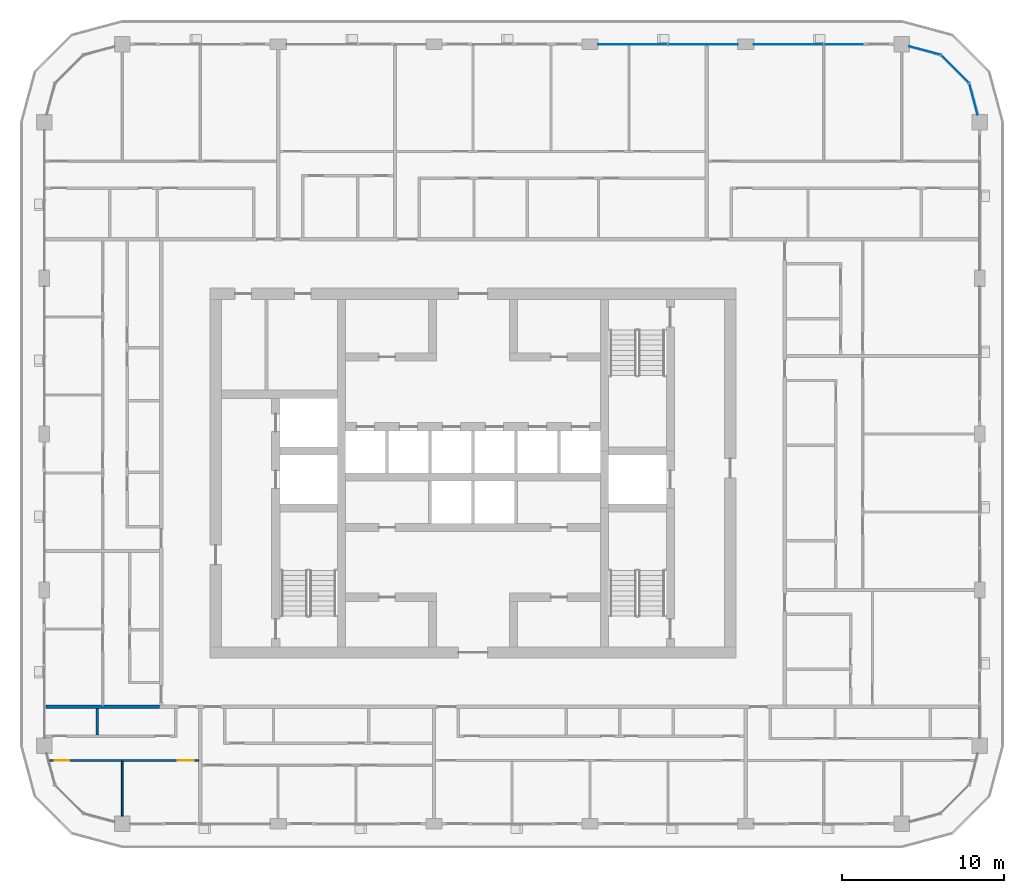
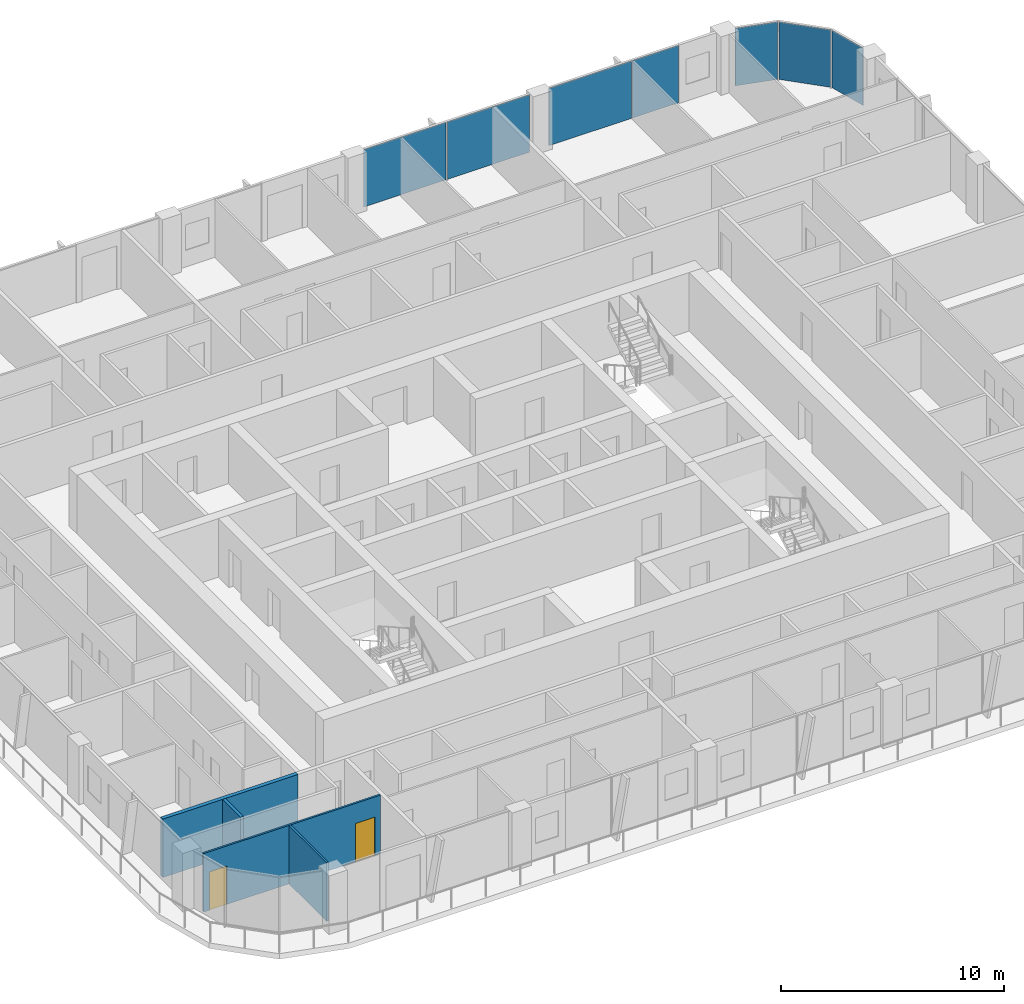
# One storey, part 8 of 23: 7 plates, 4 walls, 2 doors, 2 openings, 3 elements without a shape of their own.
"""IFC4 building model written with IfcOpenShell, lengths in metres."""

from ifc_helpers import new_model, si_unit, direction, frame, frame_2d, origin, origin_2d, place, context, subcontext, project, spatial, rectangle, extrude, material, layer, layer_set, type_object, element, fill, aggregate, save


model = new_model("IFC4")

# Units and contexts
model_context = context("Model", 3, precision=1e-05, world=origin(), true_north=direction((0.0, 1.0)))
body_context = subcontext(model_context, "Body", "Model", "MODEL_VIEW")
ifc_project = project(units=[si_unit("LENGTHUNIT", "METRE"), si_unit("AREAUNIT", "SQUARE_METRE"), si_unit("VOLUMEUNIT", "CUBIC_METRE"), si_unit("PLANEANGLEUNIT", "RADIAN"), si_unit("MASSUNIT", "GRAM", prefix="KILO")], contexts=[model_context])

# Site, building, storey
site_placement = place(None, origin())
site = spatial("IfcSite", under=ifc_project, at=site_placement, CompositionType="ELEMENT")
building_placement = place(site_placement, origin())
building = spatial("IfcBuilding", under=site, at=building_placement, Name="Madar Terraces", CompositionType="ELEMENT")
storey_placement = place(building_placement, frame((0.0, 0.0, 219.300048828125)))
storey = spatial("IfcBuildingStorey", under=building, at=storey_placement, Name="L57", CompositionType="ELEMENT", Elevation=219.300048828125)

# Curtain wall, plates
ifc_material_1 = material(Name="Glass, ceramic frit dark grey, with black aluminium frame", Category="aluminium")
ifc_layer_1 = layer(ifc_material_1, 0.199951171875)
ifc_layer_set_1 = layer_set([ifc_layer_1], Name="Facade curtain wall, fritted glass")
curtain_wall_type = type_object("IfcCurtainWallType", Name="Facade curtain wall, fritted glass", PredefinedType="NOTDEFINED", material=ifc_layer_set_1)
curtain_wall_1_placement = place(storey_placement, origin())
curtain_wall_1 = element("IfcCurtainWall", 1, at=curtain_wall_1_placement, inside=storey, type_object=curtain_wall_type, Name="Outer skin curtain wall north bay 1", PredefinedType="NOTDEFINED")
ifc_material_2 = material(Name="Glass, ceramic frit dark grey", Category="glass")
ifc_layer_2 = layer(ifc_material_2, 0.028076171875)
ifc_layer_set_2 = layer_set([ifc_layer_2], Name="Facade glass panel 28")
plate_type = type_object("IfcPlateType", Name="Facade glass panel 28", PredefinedType="CURTAIN_PANEL", material=ifc_layer_set_2)
plate_1_placement = place(storey_placement, frame((54.014892578125, 52.800048828125, 0.0), z_axis=(0.0, 0.0, 1.0), x_axis=(-1.0, 0.0, 0.0)))
plate_1 = element("IfcPlate", 2, at=plate_1_placement, type_object=plate_type, Name="Panel 1", PredefinedType="CURTAIN_PANEL", context=body_context, shape_type="SweptSolid", body=[
    extrude(rectangle(XDim=2.3701171875, YDim=0.028076171875, at=origin_2d()), origin(), (0.0, 0.0, 1.0), 3.139892578125),
])
plate_2_placement = place(storey_placement, frame((50.635009765625, 52.800048828125, 0.0), z_axis=(0.0, 0.0, 1.0), x_axis=(-1.0, 0.0, 0.0)))
plate_2 = element("IfcPlate", 3, at=plate_2_placement, type_object=plate_type, Name="Panel 2", PredefinedType="CURTAIN_PANEL", context=body_context, shape_type="SweptSolid", body=[
    extrude(rectangle(XDim=4.27001953125, YDim=0.028076171875, at=origin_2d()), origin(), (0.0, 0.0, 1.0), 3.139892578125),
])
aggregate(curtain_wall_1, [plate_1, plate_2])

curtain_wall_2_placement = place(storey_placement, origin())
curtain_wall_2 = element("IfcCurtainWall", 4, at=curtain_wall_2_placement, inside=storey, type_object=curtain_wall_type, Name="Outer skin curtain wall north bay 2", PredefinedType="NOTDEFINED")
plate_3_placement = place(storey_placement, frame((45.364990234375, 52.800048828125, 0.0), z_axis=(0.0, 0.0, 1.0), x_axis=(-1.0, 0.0, 0.0)))
plate_3 = element("IfcPlate", 5, at=plate_3_placement, type_object=plate_type, Name="Panel 1", PredefinedType="CURTAIN_PANEL", context=body_context, shape_type="SweptSolid", body=[
    extrude(rectangle(XDim=4.27001953125, YDim=0.028076171875, at=origin_2d()), origin(), (0.0, 0.0, 1.0), 3.139892578125),
])
plate_4_placement = place(storey_placement, frame((41.034912109375, 52.800048828125, 0.0), z_axis=(0.0, 0.0, 1.0), x_axis=(-1.0, 0.0, 0.0)))
plate_4 = element("IfcPlate", 6, at=plate_4_placement, type_object=plate_type, Name="Panel 2", PredefinedType="CURTAIN_PANEL", context=body_context, shape_type="SweptSolid", body=[
    extrude(rectangle(XDim=4.27001953125, YDim=0.028076171875, at=origin_2d()), origin(), (0.0, 0.0, 1.0), 3.139892578125),
])
aggregate(curtain_wall_2, [plate_3, plate_4])

curtain_wall_3_placement = place(storey_placement, origin())
curtain_wall_3 = element("IfcCurtainWall", 7, at=curtain_wall_3_placement, inside=storey, type_object=curtain_wall_type, Name="Outer skin curtain wall north-east corner", PredefinedType="NOTDEFINED")
plate_5_placement = place(storey_placement, frame((62.018798828125, 49.423095703125, 0.0), z_axis=(0.0, 0.0, 1.0), x_axis=(-0.258819021888, 0.965925832509, 0.0)))
plate_5 = element("IfcPlate", 8, at=plate_5_placement, type_object=plate_type, Name="Panel 1", PredefinedType="CURTAIN_PANEL", context=body_context, shape_type="SweptSolid", body=[
    extrude(rectangle(XDim=1.962890625, YDim=0.028076171875, at=origin_2d()), origin(), (0.0, 0.0, 1.0), 3.139892578125),
])
plate_6_placement = place(storey_placement, frame((60.87841796875, 51.278564453125, 0.0), z_axis=(0.0, 0.0, 1.0), x_axis=(-0.707106781187, 0.707106781187, 0.0)))
plate_6 = element("IfcPlate", 9, at=plate_6_placement, type_object=plate_type, Name="Panel 2", PredefinedType="CURTAIN_PANEL", context=body_context, shape_type="SweptSolid", body=[
    extrude(rectangle(XDim=2.424560546875, YDim=0.028076171875, at=origin_2d()), origin(), (0.0, 0.0, 1.0), 3.139892578125),
])
plate_7_placement = place(storey_placement, frame((59.02294921875, 52.418701171875, 0.0), z_axis=(0.0, 0.0, 1.0), x_axis=(-0.965925832509, 0.258819021888, 0.0)))
plate_7 = element("IfcPlate", 10, at=plate_7_placement, type_object=plate_type, Name="Panel 3", PredefinedType="CURTAIN_PANEL", context=body_context, shape_type="SweptSolid", body=[
    extrude(rectangle(XDim=1.962890625, YDim=0.028076171875, at=origin_2d()), origin(), (0.0, 0.0, 1.0), 3.139892578125),
])
aggregate(curtain_wall_3, [plate_5, plate_6, plate_7])

# Wall
ifc_material_3 = material(Name="Gypsum board on steel studs", Category="steel")
ifc_layer_3 = layer(ifc_material_3, 0.10009765625)
ifc_layer_set_3 = layer_set([ifc_layer_3], Name="Flat partition 100")
wall_type_1 = type_object("IfcWallType", Name="Flat partition 100", PredefinedType="PARTITIONING", material=ifc_layer_set_3)
wall_1_placement = place(storey_placement, frame((9.60009765625, 8.64990234375, 0.0), z_axis=(0.0, 0.0, 1.0), x_axis=(0.0, -1.0, 0.0)))
element("IfcWall", 11, at=wall_1_placement, inside=storey, type_object=wall_type_1, Name="Flat partition 100", PredefinedType="PARTITIONING", context=body_context, shape_type="SweptSolid", body=[
    extrude(rectangle(XDim=3.375, YDim=0.10009765625, at=frame_2d((1.6875, 0.0))), origin(), (0.0, 0.0, 1.0), 3.199951171875),
])

# Wall, openings, doors
wall_2_placement = place(storey_placement, frame((14.300048828125, 8.699951171875, 0.0), z_axis=(0.0, 0.0, 1.0), x_axis=(-1.0, 0.0, 0.0)))
wall_2 = element("IfcWall", 12, at=wall_2_placement, inside=storey, type_object=wall_type_1, Name="Flat partition 100", PredefinedType="PARTITIONING", context=body_context, shape_type="SweptSolid", body=[
    extrude(rectangle(XDim=9.158935546875, YDim=0.10009765625, at=frame_2d((4.57958984375, 0.0))), origin(), (0.0, 0.0, 1.0), 3.199951171875),
])
opening_1_placement = place(wall_2_placement, frame((0.300048828125, 0.0, 0.0)))
opening_1 = element("IfcOpeningElement", 13, at=opening_1_placement, cuts=wall_2, Name="Opening D3", PredefinedType="OPENING", context=body_context, shape_type="SweptSolid", body=[
    extrude(rectangle(XDim=1.0, YDim=2.10009765625, at=frame_2d((0.5, 1.050048828125))), frame((0.0, 0.06005859375, 0.0), z_axis=(0.0, -1.0, 0.0), x_axis=(1.0, 0.0, 0.0)), (0.0, 0.0, 1.0), 0.1201171875),
])
opening_2_placement = place(wall_2_placement, frame((7.958740234375, 0.0, 0.0)))
opening_2 = element("IfcOpeningElement", 14, at=opening_2_placement, cuts=wall_2, Name="Opening D2", PredefinedType="OPENING", context=body_context, shape_type="SweptSolid", body=[
    extrude(rectangle(XDim=0.89990234375, YDim=2.10009765625, at=frame_2d((0.449951171875, 1.050048828125))), frame((0.0, 0.06005859375, 0.0), z_axis=(0.0, -1.0, 0.0), x_axis=(1.0, 0.0, 0.0)), (0.0, 0.0, 1.0), 0.1201171875),
])
ifc_material_4 = material(Name="Timber door leaf", Category="wood")
door_type_1 = type_object("IfcDoorType", Name="Flat living room door 1000", OperationType="NOTDEFINED", PredefinedType="DOOR", material=ifc_material_4)
door_1_placement = place(opening_1_placement, origin())
door_1 = element("IfcDoor", 15, at=door_1_placement, inside=storey, type_object=door_type_1, Name="Flat living room door 1000", OperationType="SINGLE_SWING_LEFT", OverallHeight=2.10009765625, OverallWidth=1.0, PredefinedType="DOOR", context=body_context, shape_type="SweptSolid", body=[
    extrude(rectangle(XDim=1.0, YDim=2.10009765625, at=frame_2d((0.5, 1.050048828125))), frame((0.0, 0.02490234375, 0.0), z_axis=(0.0, -1.0, 0.0), x_axis=(1.0, 0.0, 0.0)), (0.0, 0.0, 1.0), 0.050048828125),
])
fill(opening_1, door_1)
ifc_material_5 = material(Name="Timber door leaf", Category="wood")
door_type_2 = type_object("IfcDoorType", Name="Flat room door 900", OperationType="NOTDEFINED", PredefinedType="DOOR", material=ifc_material_5)
door_2_placement = place(opening_2_placement, origin())
door_2 = element("IfcDoor", 16, at=door_2_placement, inside=storey, type_object=door_type_2, Name="Flat room door 900", OperationType="SINGLE_SWING_RIGHT", OverallHeight=2.10009765625, OverallWidth=0.89990234375, PredefinedType="DOOR", context=body_context, shape_type="SweptSolid", body=[
    extrude(rectangle(XDim=0.89990234375, YDim=2.10009765625, at=frame_2d((0.449951171875, 1.050048828125))), frame((0.0, 0.02490234375, 0.0), z_axis=(0.0, -1.0, 0.0), x_axis=(1.0, 0.0, 0.0)), (0.0, 0.0, 1.0), 0.050048828125),
])
fill(opening_2, door_2)

# Walls
ifc_material_6 = material(Name="Lightweight blockwork", Category="masonry")
ifc_layer_4 = layer(ifc_material_6, 0.199951171875)
ifc_layer_set_4 = layer_set([ifc_layer_4], Name="Flat party and entrance wall 200")
wall_type_2 = type_object("IfcWallType", Name="Flat party and entrance wall 200", PredefinedType="PARTITIONING", material=ifc_layer_set_4)
wall_3_placement = place(storey_placement, frame((4.89990234375, 12.0, 0.0), z_axis=(0.0, 0.0, 1.0), x_axis=(1.0, 0.0, 0.0)))
element("IfcWall", 17, at=wall_3_placement, inside=storey, type_object=wall_type_2, Name="Flat party and entrance wall 200", PredefinedType="PARTITIONING", context=body_context, shape_type="SweptSolid", body=[
    extrude(rectangle(XDim=7.0, YDim=0.199951171875, at=frame_2d((3.5, 0.0))), origin(), (0.0, 0.0, 1.0), 3.199951171875),
])
ifc_material_7 = material(Name="Lightweight blockwork", Category="masonry")
ifc_layer_5 = layer(ifc_material_7, 0.14990234375)
ifc_layer_set_5 = layer_set([ifc_layer_5], Name="Flat wet-room partition 150")
wall_type_3 = type_object("IfcWallType", Name="Flat wet-room partition 150", PredefinedType="PARTITIONING", material=ifc_layer_set_5)
wall_4_placement = place(storey_placement, frame((8.070068359375, 11.89990234375, 0.0), z_axis=(0.0, 0.0, 1.0), x_axis=(0.0, -1.0, 0.0)))
element("IfcWall", 18, at=wall_4_placement, inside=storey, type_object=wall_type_3, Name="Flat wet-room partition 150", PredefinedType="PARTITIONING", context=body_context, shape_type="SweptSolid", body=[
    extrude(rectangle(XDim=1.625, YDim=0.14990234375, at=frame_2d((0.8125, 0.0))), origin(), (0.0, 0.0, 1.0), 3.199951171875),
])

save(model, "model.ifc")
